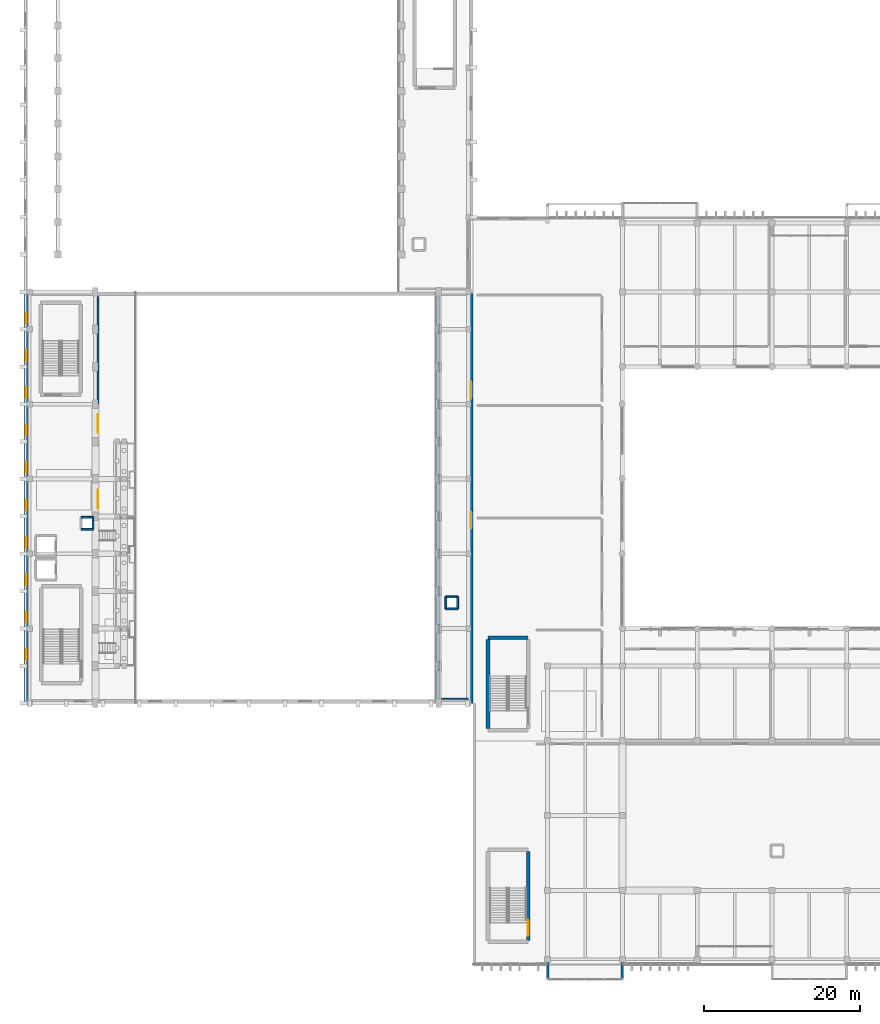
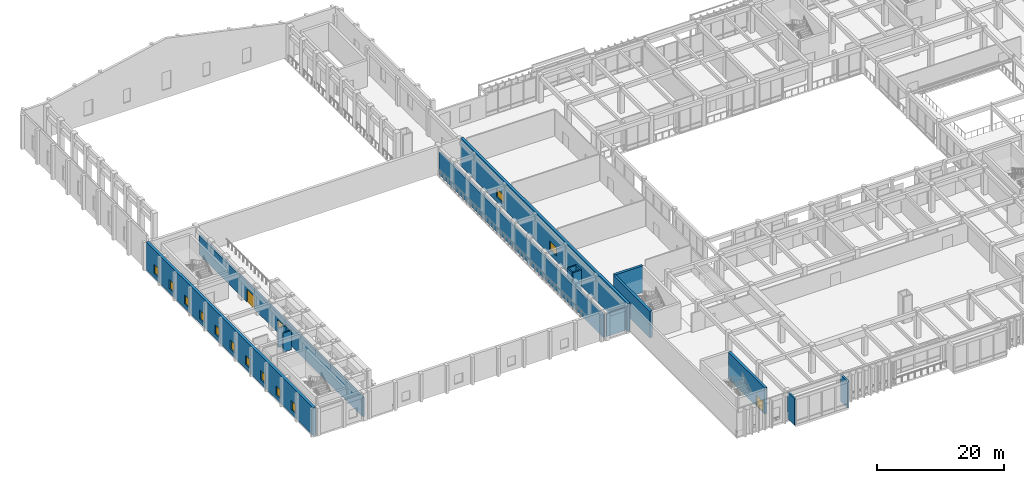
# One storey, part 102 of 134: 17 walls, 12 windows, 3 doors, 15 openings.
"""IFC4 building model written with IfcOpenShell, lengths in metres."""

from ifc_helpers import new_model, si_unit, direction, frame, frame_2d, origin, place, context, subcontext, project, spatial, rectangle, extrude, material, layer, layer_set, type_object, element, fill, save


model = new_model("IFC4")

# Units and contexts
model_context = context("Model", 3, precision=1e-05, world=origin(), true_north=direction((0.0, 1.0)))
body_context = subcontext(model_context, "Body", "Model", "MODEL_VIEW")
ifc_project = project(units=[si_unit("LENGTHUNIT", "METRE"), si_unit("AREAUNIT", "SQUARE_METRE"), si_unit("VOLUMEUNIT", "CUBIC_METRE"), si_unit("PLANEANGLEUNIT", "RADIAN"), si_unit("MASSUNIT", "GRAM", prefix="KILO")], contexts=[model_context])

# Site, building, storey
site_placement = place(None, origin())
site = spatial("IfcSite", under=ifc_project, at=site_placement, CompositionType="ELEMENT")
building_placement = place(site_placement, origin())
building = spatial("IfcBuilding", under=site, at=building_placement, Name="Nakhvara Creek Congress Hotel", CompositionType="ELEMENT")
storey_placement = place(building_placement, frame((0.0, 0.0, 6.0)))
storey = spatial("IfcBuildingStorey", under=building, at=storey_placement, Name="L01", CompositionType="ELEMENT", Elevation=6.0)

# Walls
ifc_material_1 = material(Name="Moisture-resistant blockwork and plaster", Category="masonry")
ifc_layer_1 = layer(ifc_material_1, 0.159912109375)
ifc_layer_set_1 = layer_set([ifc_layer_1], Name="Moisture-resistant blockwork and plaster")
wall_type_1 = type_object("IfcWallType", Name="W-BOH-160", PredefinedType="PARTITIONING", material=ifc_layer_set_1)
wall_1_placement = place(storey_placement, frame((53.60009765625, 34.199951171875, 0.0), z_axis=(0.0, 0.0, 1.0), x_axis=(1.0, 0.0, 0.0)))
element("IfcWall", 1, at=wall_1_placement, inside=storey, type_object=wall_type_1, Name="Interior Wall WP14-IW-L01-0084", PredefinedType="PARTITIONING", context=body_context, shape_type="SweptSolid", body=[
    extrude(rectangle(XDim=3.39990234375, YDim=0.159912109375, at=frame_2d((1.699951171875, 0.0))), origin(), (0.0, 0.0, 1.0), 4.31201171875),
])
ifc_material_2 = material(Name="Champagne-bronze anodised aluminium cassette", Category="aluminium")
ifc_layer_2 = layer(ifc_material_2, 0.030029296875)
ifc_material_3 = material(Name="Mineral wool thermal insulation")
ifc_layer_3 = layer(ifc_material_3, 0.10009765625)
ifc_material_4 = material(Name="Precast concrete C40/50", Category="concrete")
ifc_layer_4 = layer(ifc_material_4, 0.169921875)
ifc_layer_set_2 = layer_set([ifc_layer_2, ifc_layer_3, ifc_layer_4], Name="Precast concrete C40/50")
wall_type_2 = type_object("IfcWallType", Name="W-BOX-300", PredefinedType="SOLIDWALL", material=ifc_layer_set_2)
for number, where, z_axis, x_axis, name in (
    (2, (67.199951171875, -1.800048828125, 0.0), (0.0, 0.0, 1.0), (0.0, 1.0, 0.0), "Exterior Wall WE06-EW-L01-0055"),
    (3, (76.800048828125, 0.35009765625, 0.0), (0.0, 0.0, 1.0), (0.0, -1.0, 0.0), "Exterior Wall WE06-EW-L01-0056"),
):
    element("IfcWall", number, at=place(storey_placement, frame(where, z_axis=z_axis, x_axis=x_axis)), inside=storey, type_object=wall_type_2, Name=name, PredefinedType="SOLIDWALL", context=body_context, shape_type="SweptSolid", body=[
        extrude(rectangle(XDim=2.150146484375, YDim=0.300048828125, at=frame_2d((1.0751953125, 0.0))), origin(), (0.0, 0.0, 1.0), 5.10009765625),
    ])

# Wall, opening, door
ifc_material_5 = material(Name="Concrete C50/60", Category="concrete")
ifc_layer_5 = layer(ifc_material_5, 0.449951171875)
ifc_layer_set_3 = layer_set([ifc_layer_5], Name="Concrete C50/60")
wall_type_3 = type_object("IfcWallType", Name="W-CORE-450", PredefinedType="SHEAR", material=ifc_layer_set_3)
wall_2_placement = place(storey_placement, frame((64.699951171875, 3.199951171875, 0.0), z_axis=(0.0, 0.0, 1.0), x_axis=(0.0, 1.0, 0.0)))
wall_2 = element("IfcWall", 4, at=wall_2_placement, inside=storey, type_object=wall_type_3, Name="Core Shear Wall WS02-CWALL-L01-0950", PredefinedType="SHEAR", context=body_context, shape_type="SweptSolid", body=[
    extrude(rectangle(XDim=11.400146484375, YDim=0.449951171875, at=frame_2d((5.7001953125, 0.0))), origin(), (0.0, 0.0, 1.0), 5.10009765625),
])
opening_1_placement = place(wall_2_placement, frame((0.550048828125, 0.0, 0.0)))
opening_1 = element("IfcOpeningElement", 5, at=opening_1_placement, cuts=wall_2, Name="Opening FD19", PredefinedType="OPENING", context=body_context, shape_type="SweptSolid", body=[
    extrude(rectangle(XDim=2.10009765625, YDim=2.199951171875, at=frame_2d((1.050048828125, 1.10009765625))), frame((0.0, 0.23681640625, 0.0), z_axis=(0.0, -1.0, 0.0), x_axis=(1.0, 0.0, 0.0)), (0.0, 0.0, 1.0), 0.473876953125),
])
ifc_material_6 = material(Name="Galvanised steel acoustic fire door", Category="steel")
door_type_1 = type_object("IfcDoorType", Name="DT-STAIR-220", OperationType="DOUBLE_DOOR_SINGLE_SWING", PredefinedType="DOOR", material=ifc_material_6)
door_1_placement = place(opening_1_placement, frame((2.10009765625, 0.0, 0.0), z_axis=(0.0, 0.0, 1.0), x_axis=(-1.0, 0.0, 0.0)))
door_1 = element("IfcDoor", 6, at=door_1_placement, inside=storey, type_object=door_type_1, Name="Stair Exit Door ST11-L01", OperationType="DOUBLE_DOOR_SINGLE_SWING", OverallHeight=2.199951171875, OverallWidth=2.10009765625, PredefinedType="DOOR", context=body_context, shape_type="SweptSolid", body=[
    extrude(rectangle(XDim=2.10009765625, YDim=2.199951171875, at=frame_2d((1.050048828125, 1.10009765625))), frame((0.0, 0.02490234375, 0.0), z_axis=(0.0, -1.0, 0.0), x_axis=(1.0, 0.0, 0.0)), (0.0, 0.0, 1.0), 0.050048828125),
])
fill(opening_1, door_1)

# Walls
wall_3_placement = place(storey_placement, frame((59.550048828125, 42.02001953125, 0.0), z_axis=(0.0, 0.0, 1.0), x_axis=(1.0, 0.0, 0.0)))
element("IfcWall", 7, at=wall_3_placement, inside=storey, type_object=wall_type_3, Name="Core Shear Wall WS02-CWALL-L01-0992", PredefinedType="SHEAR", context=body_context, shape_type="SweptSolid", body=[
    extrude(rectangle(XDim=5.14990234375, YDim=0.449951171875, at=frame_2d((2.574951171875, 0.0))), origin(), (0.0, 0.0, 1.0), 5.10009765625),
])
wall_4_placement = place(storey_placement, frame((59.550048828125, 30.39990234375, 0.0), z_axis=(0.0, 0.0, 1.0), x_axis=(0.0, 1.0, 0.0)))
element("IfcWall", 8, at=wall_4_placement, inside=storey, type_object=wall_type_3, Name="Core Shear Wall WS02-CWALL-L01-0993", PredefinedType="SHEAR", context=body_context, shape_type="SweptSolid", body=[
    extrude(rectangle(XDim=11.400146484375, YDim=0.449951171875, at=frame_2d((5.7001953125, 0.0))), origin(), (0.0, 0.0, 1.0), 5.10009765625),
])

# Wall, openings, windows
ifc_material_7 = material(Name="Honed pale Omani limestone cladding", Category="masonry")
ifc_layer_6 = layer(ifc_material_7, 0.06005859375)
ifc_layer_7 = layer(ifc_material_3, 0.1201171875)
ifc_layer_8 = layer(ifc_material_4, 0.300048828125)
ifc_layer_set_4 = layer_set([ifc_layer_6, ifc_layer_7, ifc_layer_8], Name="Precast concrete C40/50")
wall_type_4 = type_object("IfcWallType", Name="W-HALL-480", PredefinedType="SOLIDWALL", material=ifc_layer_set_4)
wall_5_placement = place(storey_placement, frame((0.239990234375, 33.60009765625, 0.0), z_axis=(0.0, 0.0, 1.0), x_axis=(0.0, 1.0, 0.0)))
wall_5 = element("IfcWall", 9, at=wall_5_placement, inside=storey, type_object=wall_type_4, Name="Exterior Wall WE01-EW-L01-0037", PredefinedType="SOLIDWALL", context=body_context, shape_type="SweptSolid", body=[
    extrude(rectangle(XDim=52.599853515625, YDim=0.47998046875, at=frame_2d((26.2998046875, 0.0))), origin(), (0.0, 0.0, 1.0), 5.39990234375),
])
opening_2_placement = place(wall_5_placement, frame((5.60009765625, 0.0, 0.85009765625)))
opening_2 = element("IfcOpeningElement", 10, at=opening_2_placement, cuts=wall_5, Name="Opening WN0029", PredefinedType="OPENING", context=body_context, shape_type="SweptSolid", body=[
    extrude(rectangle(XDim=1.35009765625, YDim=1.72998046875, at=frame_2d((0.675048828125, 0.864990234375))), frame((0.0, 0.251953125, 0.0), z_axis=(0.0, -1.0, 0.0), x_axis=(1.0, 0.0, 0.0)), (0.0, 0.0, 1.0), 0.50390625),
])
opening_3_placement = place(wall_5_placement, frame((10.39990234375, 0.0, 0.85009765625)))
opening_3 = element("IfcOpeningElement", 11, at=opening_3_placement, cuts=wall_5, Name="Opening WN0030", PredefinedType="OPENING", context=body_context, shape_type="SweptSolid", body=[
    extrude(rectangle(XDim=1.35009765625, YDim=1.72998046875, at=frame_2d((0.675048828125, 0.864990234375))), frame((0.0, 0.251953125, 0.0), z_axis=(0.0, -1.0, 0.0), x_axis=(1.0, 0.0, 0.0)), (0.0, 0.0, 1.0), 0.50390625),
])
opening_4_placement = place(wall_5_placement, frame((15.199951171875, 0.0, 0.85009765625)))
opening_4 = element("IfcOpeningElement", 12, at=opening_4_placement, cuts=wall_5, Name="Opening WN0031", PredefinedType="OPENING", context=body_context, shape_type="SweptSolid", body=[
    extrude(rectangle(XDim=1.35009765625, YDim=1.72998046875, at=frame_2d((0.675048828125, 0.864990234375))), frame((0.0, 0.251953125, 0.0), z_axis=(0.0, -1.0, 0.0), x_axis=(1.0, 0.0, 0.0)), (0.0, 0.0, 1.0), 0.50390625),
])
opening_5_placement = place(wall_5_placement, frame((20.0, 0.0, 0.85009765625)))
opening_5 = element("IfcOpeningElement", 13, at=opening_5_placement, cuts=wall_5, Name="Opening WN0032", PredefinedType="OPENING", context=body_context, shape_type="SweptSolid", body=[
    extrude(rectangle(XDim=1.35009765625, YDim=1.72998046875, at=frame_2d((0.675048828125, 0.864990234375))), frame((0.0, 0.251953125, 0.0), z_axis=(0.0, -1.0, 0.0), x_axis=(1.0, 0.0, 0.0)), (0.0, 0.0, 1.0), 0.50390625),
])
opening_6_placement = place(wall_5_placement, frame((24.800048828125, 0.0, 0.85009765625)))
opening_6 = element("IfcOpeningElement", 14, at=opening_6_placement, cuts=wall_5, Name="Opening WN0033", PredefinedType="OPENING", context=body_context, shape_type="SweptSolid", body=[
    extrude(rectangle(XDim=1.35009765625, YDim=1.72998046875, at=frame_2d((0.675048828125, 0.864990234375))), frame((0.0, 0.251953125, 0.0), z_axis=(0.0, -1.0, 0.0), x_axis=(1.0, 0.0, 0.0)), (0.0, 0.0, 1.0), 0.50390625),
])
opening_7_placement = place(wall_5_placement, frame((29.60009765625, 0.0, 0.85009765625)))
opening_7 = element("IfcOpeningElement", 15, at=opening_7_placement, cuts=wall_5, Name="Opening WN0034", PredefinedType="OPENING", context=body_context, shape_type="SweptSolid", body=[
    extrude(rectangle(XDim=1.35009765625, YDim=1.72998046875, at=frame_2d((0.675048828125, 0.864990234375))), frame((0.0, 0.251953125, 0.0), z_axis=(0.0, -1.0, 0.0), x_axis=(1.0, 0.0, 0.0)), (0.0, 0.0, 1.0), 0.50390625),
])
opening_8_placement = place(wall_5_placement, frame((34.39990234375, 0.0, 0.85009765625)))
opening_8 = element("IfcOpeningElement", 16, at=opening_8_placement, cuts=wall_5, Name="Opening WN0035", PredefinedType="OPENING", context=body_context, shape_type="SweptSolid", body=[
    extrude(rectangle(XDim=1.35009765625, YDim=1.72998046875, at=frame_2d((0.675048828125, 0.864990234375))), frame((0.0, 0.251953125, 0.0), z_axis=(0.0, -1.0, 0.0), x_axis=(1.0, 0.0, 0.0)), (0.0, 0.0, 1.0), 0.50390625),
])
opening_9_placement = place(wall_5_placement, frame((39.199951171875, 0.0, 0.85009765625)))
opening_9 = element("IfcOpeningElement", 17, at=opening_9_placement, cuts=wall_5, Name="Opening WN0036", PredefinedType="OPENING", context=body_context, shape_type="SweptSolid", body=[
    extrude(rectangle(XDim=1.35009765625, YDim=1.72998046875, at=frame_2d((0.675048828125, 0.864990234375))), frame((0.0, 0.251953125, 0.0), z_axis=(0.0, -1.0, 0.0), x_axis=(1.0, 0.0, 0.0)), (0.0, 0.0, 1.0), 0.50390625),
])
opening_10_placement = place(wall_5_placement, frame((44.0, 0.0, 0.85009765625)))
opening_10 = element("IfcOpeningElement", 18, at=opening_10_placement, cuts=wall_5, Name="Opening WN0037", PredefinedType="OPENING", context=body_context, shape_type="SweptSolid", body=[
    extrude(rectangle(XDim=1.35009765625, YDim=1.72998046875, at=frame_2d((0.675048828125, 0.864990234375))), frame((0.0, 0.251953125, 0.0), z_axis=(0.0, -1.0, 0.0), x_axis=(1.0, 0.0, 0.0)), (0.0, 0.0, 1.0), 0.50390625),
])
opening_11_placement = place(wall_5_placement, frame((48.800048828125, 0.0, 0.85009765625)))
opening_11 = element("IfcOpeningElement", 19, at=opening_11_placement, cuts=wall_5, Name="Opening WN0038", PredefinedType="OPENING", context=body_context, shape_type="SweptSolid", body=[
    extrude(rectangle(XDim=1.35009765625, YDim=1.72998046875, at=frame_2d((0.675048828125, 0.864990234375))), frame((0.0, 0.251953125, 0.0), z_axis=(0.0, -1.0, 0.0), x_axis=(1.0, 0.0, 0.0)), (0.0, 0.0, 1.0), 0.50390625),
])
ifc_material_8 = material(Name="Thermally broken bronze-anodised aluminium and double-silver low-E insulated glass", Category="aluminium")
window_type_1 = type_object("IfcWindowType", Name="WN-LAN-135X220", PartitioningType="SINGLE_PANEL", PredefinedType="WINDOW", material=ifc_material_8)
window_1_placement = place(opening_2_placement, origin())
window_1 = element("IfcWindow", 20, at=window_1_placement, inside=storey, type_object=window_type_1, Name="Facade Window WN0029", OverallHeight=1.72998046875, OverallWidth=1.35009765625, PartitioningType="SINGLE_PANEL", PredefinedType="WINDOW", context=body_context, shape_type="SweptSolid", body=[
    extrude(rectangle(XDim=1.35009765625, YDim=1.72998046875, at=frame_2d((0.675048828125, 0.864990234375))), frame((0.0, 0.030029296875, 0.0), z_axis=(0.0, -1.0, 0.0), x_axis=(1.0, 0.0, 0.0)), (0.0, 0.0, 1.0), 0.06005859375),
])
fill(opening_2, window_1)
window_2_placement = place(opening_3_placement, origin())
window_2 = element("IfcWindow", 21, at=window_2_placement, inside=storey, type_object=window_type_1, Name="Facade Window WN0030", OverallHeight=1.72998046875, OverallWidth=1.35009765625, PartitioningType="SINGLE_PANEL", PredefinedType="WINDOW", context=body_context, shape_type="SweptSolid", body=[
    extrude(rectangle(XDim=1.35009765625, YDim=1.72998046875, at=frame_2d((0.675048828125, 0.864990234375))), frame((0.0, 0.030029296875, 0.0), z_axis=(0.0, -1.0, 0.0), x_axis=(1.0, 0.0, 0.0)), (0.0, 0.0, 1.0), 0.06005859375),
])
fill(opening_3, window_2)
window_3_placement = place(opening_4_placement, origin())
window_3 = element("IfcWindow", 22, at=window_3_placement, inside=storey, type_object=window_type_1, Name="Facade Window WN0031", OverallHeight=1.72998046875, OverallWidth=1.35009765625, PartitioningType="SINGLE_PANEL", PredefinedType="WINDOW", context=body_context, shape_type="SweptSolid", body=[
    extrude(rectangle(XDim=1.35009765625, YDim=1.72998046875, at=frame_2d((0.675048828125, 0.864990234375))), frame((0.0, 0.030029296875, 0.0), z_axis=(0.0, -1.0, 0.0), x_axis=(1.0, 0.0, 0.0)), (0.0, 0.0, 1.0), 0.06005859375),
])
fill(opening_4, window_3)
window_4_placement = place(opening_5_placement, origin())
window_4 = element("IfcWindow", 23, at=window_4_placement, inside=storey, type_object=window_type_1, Name="Facade Window WN0032", OverallHeight=1.72998046875, OverallWidth=1.35009765625, PartitioningType="SINGLE_PANEL", PredefinedType="WINDOW", context=body_context, shape_type="SweptSolid", body=[
    extrude(rectangle(XDim=1.35009765625, YDim=1.72998046875, at=frame_2d((0.675048828125, 0.864990234375))), frame((0.0, 0.030029296875, 0.0), z_axis=(0.0, -1.0, 0.0), x_axis=(1.0, 0.0, 0.0)), (0.0, 0.0, 1.0), 0.06005859375),
])
fill(opening_5, window_4)
window_5_placement = place(opening_6_placement, origin())
window_5 = element("IfcWindow", 24, at=window_5_placement, inside=storey, type_object=window_type_1, Name="Facade Window WN0033", OverallHeight=1.72998046875, OverallWidth=1.35009765625, PartitioningType="SINGLE_PANEL", PredefinedType="WINDOW", context=body_context, shape_type="SweptSolid", body=[
    extrude(rectangle(XDim=1.35009765625, YDim=1.72998046875, at=frame_2d((0.675048828125, 0.864990234375))), frame((0.0, 0.030029296875, 0.0), z_axis=(0.0, -1.0, 0.0), x_axis=(1.0, 0.0, 0.0)), (0.0, 0.0, 1.0), 0.06005859375),
])
fill(opening_6, window_5)
window_6_placement = place(opening_7_placement, origin())
window_6 = element("IfcWindow", 25, at=window_6_placement, inside=storey, type_object=window_type_1, Name="Facade Window WN0034", OverallHeight=1.72998046875, OverallWidth=1.35009765625, PartitioningType="SINGLE_PANEL", PredefinedType="WINDOW", context=body_context, shape_type="SweptSolid", body=[
    extrude(rectangle(XDim=1.35009765625, YDim=1.72998046875, at=frame_2d((0.675048828125, 0.864990234375))), frame((0.0, 0.030029296875, 0.0), z_axis=(0.0, -1.0, 0.0), x_axis=(1.0, 0.0, 0.0)), (0.0, 0.0, 1.0), 0.06005859375),
])
fill(opening_7, window_6)
window_7_placement = place(opening_8_placement, origin())
window_7 = element("IfcWindow", 26, at=window_7_placement, inside=storey, type_object=window_type_1, Name="Facade Window WN0035", OverallHeight=1.72998046875, OverallWidth=1.35009765625, PartitioningType="SINGLE_PANEL", PredefinedType="WINDOW", context=body_context, shape_type="SweptSolid", body=[
    extrude(rectangle(XDim=1.35009765625, YDim=1.72998046875, at=frame_2d((0.675048828125, 0.864990234375))), frame((0.0, 0.030029296875, 0.0), z_axis=(0.0, -1.0, 0.0), x_axis=(1.0, 0.0, 0.0)), (0.0, 0.0, 1.0), 0.06005859375),
])
fill(opening_8, window_7)
window_8_placement = place(opening_9_placement, origin())
window_8 = element("IfcWindow", 27, at=window_8_placement, inside=storey, type_object=window_type_1, Name="Facade Window WN0036", OverallHeight=1.72998046875, OverallWidth=1.35009765625, PartitioningType="SINGLE_PANEL", PredefinedType="WINDOW", context=body_context, shape_type="SweptSolid", body=[
    extrude(rectangle(XDim=1.35009765625, YDim=1.72998046875, at=frame_2d((0.675048828125, 0.864990234375))), frame((0.0, 0.030029296875, 0.0), z_axis=(0.0, -1.0, 0.0), x_axis=(1.0, 0.0, 0.0)), (0.0, 0.0, 1.0), 0.06005859375),
])
fill(opening_9, window_8)
window_9_placement = place(opening_10_placement, origin())
window_9 = element("IfcWindow", 28, at=window_9_placement, inside=storey, type_object=window_type_1, Name="Facade Window WN0037", OverallHeight=1.72998046875, OverallWidth=1.35009765625, PartitioningType="SINGLE_PANEL", PredefinedType="WINDOW", context=body_context, shape_type="SweptSolid", body=[
    extrude(rectangle(XDim=1.35009765625, YDim=1.72998046875, at=frame_2d((0.675048828125, 0.864990234375))), frame((0.0, 0.030029296875, 0.0), z_axis=(0.0, -1.0, 0.0), x_axis=(1.0, 0.0, 0.0)), (0.0, 0.0, 1.0), 0.06005859375),
])
fill(opening_10, window_9)
window_10_placement = place(opening_11_placement, origin())
window_10 = element("IfcWindow", 29, at=window_10_placement, inside=storey, type_object=window_type_1, Name="Facade Window WN0038", OverallHeight=1.72998046875, OverallWidth=1.35009765625, PartitioningType="SINGLE_PANEL", PredefinedType="WINDOW", context=body_context, shape_type="SweptSolid", body=[
    extrude(rectangle(XDim=1.35009765625, YDim=1.72998046875, at=frame_2d((0.675048828125, 0.864990234375))), frame((0.0, 0.030029296875, 0.0), z_axis=(0.0, -1.0, 0.0), x_axis=(1.0, 0.0, 0.0)), (0.0, 0.0, 1.0), 0.06005859375),
])
fill(opening_11, window_10)

wall_6_placement = place(storey_placement, frame((57.360107421875, 86.199951171875, 0.0), z_axis=(0.0, 0.0, 1.0), x_axis=(0.0, -1.0, 0.0)))
wall_6 = element("IfcWall", 30, at=wall_6_placement, inside=storey, type_object=wall_type_4, Name="Exterior Wall WE01-EW-L01-0038", PredefinedType="SOLIDWALL", context=body_context, shape_type="SweptSolid", body=[
    extrude(rectangle(XDim=52.599853515625, YDim=0.47998046875, at=frame_2d((26.2998046875, 0.0))), origin(), (0.0, 0.0, 1.0), 5.39990234375),
])
opening_12_placement = place(wall_6_placement, frame((11.300048828125, 0.0, 1.0)))
opening_12 = element("IfcOpeningElement", 31, at=opening_12_placement, cuts=wall_6, Name="Opening WN0039", PredefinedType="OPENING", context=body_context, shape_type="SweptSolid", body=[
    extrude(rectangle(XDim=2.199951171875, YDim=1.60009765625, at=frame_2d((1.10009765625, 0.800048828125))), frame((0.0, 0.251953125, 0.0), z_axis=(0.0, -1.0, 0.0), x_axis=(1.0, 0.0, 0.0)), (0.0, 0.0, 1.0), 0.50390625),
])
opening_13_placement = place(wall_6_placement, frame((28.0, 0.0, 1.0)))
opening_13 = element("IfcOpeningElement", 32, at=opening_13_placement, cuts=wall_6, Name="Opening WN0040", PredefinedType="OPENING", context=body_context, shape_type="SweptSolid", body=[
    extrude(rectangle(XDim=2.199951171875, YDim=1.60009765625, at=frame_2d((1.10009765625, 0.800048828125))), frame((0.0, 0.251953125, 0.0), z_axis=(0.0, -1.0, 0.0), x_axis=(1.0, 0.0, 0.0)), (0.0, 0.0, 1.0), 0.50390625),
])
window_type_2 = type_object("IfcWindowType", Name="WN-CLR-220X160", PartitioningType="SINGLE_PANEL", PredefinedType="WINDOW", material=ifc_material_8)
window_11_placement = place(opening_12_placement, origin())
window_11 = element("IfcWindow", 33, at=window_11_placement, inside=storey, type_object=window_type_2, Name="Facade Window WN0039", OverallHeight=1.60009765625, OverallWidth=2.199951171875, PartitioningType="SINGLE_PANEL", PredefinedType="WINDOW", context=body_context, shape_type="SweptSolid", body=[
    extrude(rectangle(XDim=2.199951171875, YDim=1.60009765625, at=frame_2d((1.10009765625, 0.800048828125))), frame((0.0, 0.030029296875, 0.0), z_axis=(0.0, -1.0, 0.0), x_axis=(1.0, 0.0, 0.0)), (0.0, 0.0, 1.0), 0.06005859375),
])
fill(opening_12, window_11)
window_12_placement = place(opening_13_placement, origin())
window_12 = element("IfcWindow", 34, at=window_12_placement, inside=storey, type_object=window_type_2, Name="Facade Window WN0040", OverallHeight=1.60009765625, OverallWidth=2.199951171875, PartitioningType="SINGLE_PANEL", PredefinedType="WINDOW", context=body_context, shape_type="SweptSolid", body=[
    extrude(rectangle(XDim=2.199951171875, YDim=1.60009765625, at=frame_2d((1.10009765625, 0.800048828125))), frame((0.0, 0.030029296875, 0.0), z_axis=(0.0, -1.0, 0.0), x_axis=(1.0, 0.0, 0.0)), (0.0, 0.0, 1.0), 0.06005859375),
])
fill(opening_13, window_12)

# Wall, openings, doors
ifc_material_9 = material(Name="Concrete C40/50", Category="concrete")
ifc_layer_9 = layer(ifc_material_9, 0.320068359375)
ifc_layer_set_5 = layer_set([ifc_layer_9], Name="Concrete C40/50")
wall_type_5 = type_object("IfcWallType", Name="W-SEP-320", PredefinedType="SOLIDWALL", material=ifc_layer_set_5)
wall_7_placement = place(storey_placement, frame((9.5, 34.199951171875, 0.0), z_axis=(0.0, 0.0, 1.0), x_axis=(0.0, 1.0, 0.0)))
wall_7 = element("IfcWall", 35, at=wall_7_placement, inside=storey, type_object=wall_type_5, Name="Interior Wall WI01-IW-L01-0007", PredefinedType="SOLIDWALL", context=body_context, shape_type="SweptSolid", body=[
    extrude(rectangle(XDim=51.60009765625, YDim=0.320068359375, at=frame_2d((25.800048828125, 0.0))), origin(), (0.0, 0.0, 1.0), 3.69189453125),
])
opening_14_placement = place(wall_7_placement, frame((24.39990234375, 0.0, 0.0)))
opening_14 = element("IfcOpeningElement", 36, at=opening_14_placement, cuts=wall_7, Name="Opening FD08", PredefinedType="OPENING", context=body_context, shape_type="SweptSolid", body=[
    extrude(rectangle(XDim=2.39990234375, YDim=2.5, at=frame_2d((1.199951171875, 1.25))), frame((0.0, 0.171875, 0.0), z_axis=(0.0, -1.0, 0.0), x_axis=(1.0, 0.0, 0.0)), (0.0, 0.0, 1.0), 0.343994140625),
])
opening_15_placement = place(wall_7_placement, frame((34.10009765625, 0.0, 0.0)))
opening_15 = element("IfcOpeningElement", 37, at=opening_15_placement, cuts=wall_7, Name="Opening FD08", PredefinedType="OPENING", context=body_context, shape_type="SweptSolid", body=[
    extrude(rectangle(XDim=2.39990234375, YDim=2.5, at=frame_2d((1.199951171875, 1.25))), frame((0.0, 0.171875, 0.0), z_axis=(0.0, -1.0, 0.0), x_axis=(1.0, 0.0, 0.0)), (0.0, 0.0, 1.0), 0.343994140625),
])
ifc_material_10 = material(Name="Acoustic hardwood and steel core fire door", Category="steel")
door_type_2 = type_object("IfcDoorType", Name="DT-HALL-240", OperationType="DOUBLE_DOOR_SINGLE_SWING", PredefinedType="DOOR", material=ifc_material_10)
door_2_placement = place(opening_14_placement, frame((2.39990234375, 0.0, 0.0), z_axis=(0.0, 0.0, 1.0), x_axis=(-1.0, 0.0, 0.0)))
door_2 = element("IfcDoor", 38, at=door_2_placement, inside=storey, type_object=door_type_2, Name="Interior Door FD08-0014", OperationType="DOUBLE_DOOR_SINGLE_SWING", OverallHeight=2.5, OverallWidth=2.39990234375, PredefinedType="DOOR", context=body_context, shape_type="SweptSolid", body=[
    extrude(rectangle(XDim=2.39990234375, YDim=2.5, at=frame_2d((1.199951171875, 1.25))), frame((0.0, 0.02490234375, 0.0), z_axis=(0.0, -1.0, 0.0), x_axis=(1.0, 0.0, 0.0)), (0.0, 0.0, 1.0), 0.050048828125),
])
fill(opening_14, door_2)
door_3_placement = place(opening_15_placement, frame((2.39990234375, 0.0, 0.0), z_axis=(0.0, 0.0, 1.0), x_axis=(-1.0, 0.0, 0.0)))
door_3 = element("IfcDoor", 39, at=door_3_placement, inside=storey, type_object=door_type_2, Name="Interior Door FD08-0015", OperationType="DOUBLE_DOOR_SINGLE_SWING", OverallHeight=2.5, OverallWidth=2.39990234375, PredefinedType="DOOR", context=body_context, shape_type="SweptSolid", body=[
    extrude(rectangle(XDim=2.39990234375, YDim=2.5, at=frame_2d((1.199951171875, 1.25))), frame((0.0, 0.02490234375, 0.0), z_axis=(0.0, -1.0, 0.0), x_axis=(1.0, 0.0, 0.0)), (0.0, 0.0, 1.0), 0.050048828125),
])
fill(opening_15, door_3)

# Walls
wall_8_placement = place(storey_placement, frame((53.199951171875, 34.199951171875, 0.0), z_axis=(0.0, 0.0, 1.0), x_axis=(0.0, 1.0, 0.0)))
element("IfcWall", 40, at=wall_8_placement, inside=storey, type_object=wall_type_5, Name="Interior Wall WI01-IW-L01-0008", PredefinedType="SOLIDWALL", context=body_context, shape_type="SweptSolid", body=[
    extrude(rectangle(XDim=51.60009765625, YDim=0.320068359375, at=frame_2d((25.800048828125, 0.0))), origin(), (0.0, 0.0, 1.0), 4.31201171875),
])
ifc_layer_10 = layer(ifc_material_9, 0.25)
ifc_layer_set_6 = layer_set([ifc_layer_10], Name="Concrete C40/50")
wall_type_6 = type_object("IfcWallType", Name="W-SHAFT-250", PredefinedType="SOLIDWALL", material=ifc_layer_set_6)
for number, where, z_axis, x_axis, name in (
    (41, (7.340087890625, 55.93994140625, 0.0), (0.0, 0.0, 1.0), (1.0, 0.0, 0.0), "MEP Riser Enclosure Wall L01-001"),
    (42, (8.860107421875, 55.93994140625, 0.0), (0.0, 0.0, 1.0), (0.0, 1.0, 0.0), "MEP Riser Enclosure Wall L01-002"),
    (43, (8.860107421875, 57.4599609375, 0.0), (0.0, 0.0, 1.0), (-1.0, 0.0, 0.0), "MEP Riser Enclosure Wall L01-003"),
):
    element("IfcWall", number, at=place(storey_placement, frame(where, z_axis=z_axis, x_axis=x_axis)), inside=storey, type_object=wall_type_6, Name=name, PredefinedType="SOLIDWALL", context=body_context, shape_type="SweptSolid", body=[
        extrude(rectangle(XDim=1.52001953125, YDim=0.25, at=frame_2d((0.760009765625, 0.0))), origin(), (0.0, 0.0, 1.0), 3.69189453125),
    ])
for number, where, z_axis, x_axis, name in (
    (44, (54.139892578125, 45.739990234375, 0.0), (0.0, 0.0, 1.0), (1.0, 0.0, 0.0), "MEP Riser Enclosure Wall L01-005"),
    (45, (55.659912109375, 45.739990234375, 0.0), (0.0, 0.0, 1.0), (0.0, 1.0, 0.0), "MEP Riser Enclosure Wall L01-006"),
    (46, (55.659912109375, 47.260009765625, 0.0), (0.0, 0.0, 1.0), (-1.0, 0.0, 0.0), "MEP Riser Enclosure Wall L01-007"),
    (47, (54.139892578125, 47.260009765625, 0.0), (0.0, 0.0, 1.0), (0.0, -1.0, 0.0), "MEP Riser Enclosure Wall L01-008"),
):
    element("IfcWall", number, at=place(storey_placement, frame(where, z_axis=z_axis, x_axis=x_axis)), inside=storey, type_object=wall_type_6, Name=name, PredefinedType="SOLIDWALL", context=body_context, shape_type="SweptSolid", body=[
        extrude(rectangle(XDim=1.52001953125, YDim=0.25, at=frame_2d((0.760009765625, 0.0))), origin(), (0.0, 0.0, 1.0), 5.10009765625),
    ])

save(model, "model.ifc")
